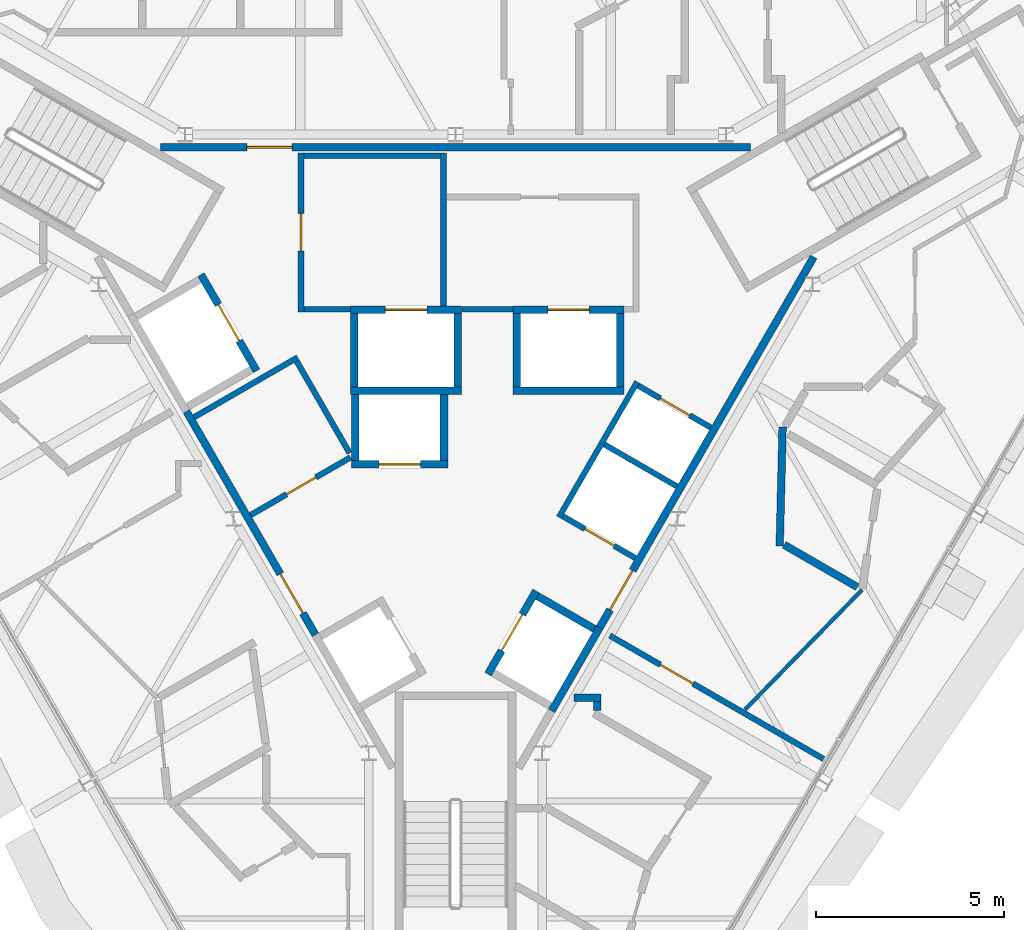
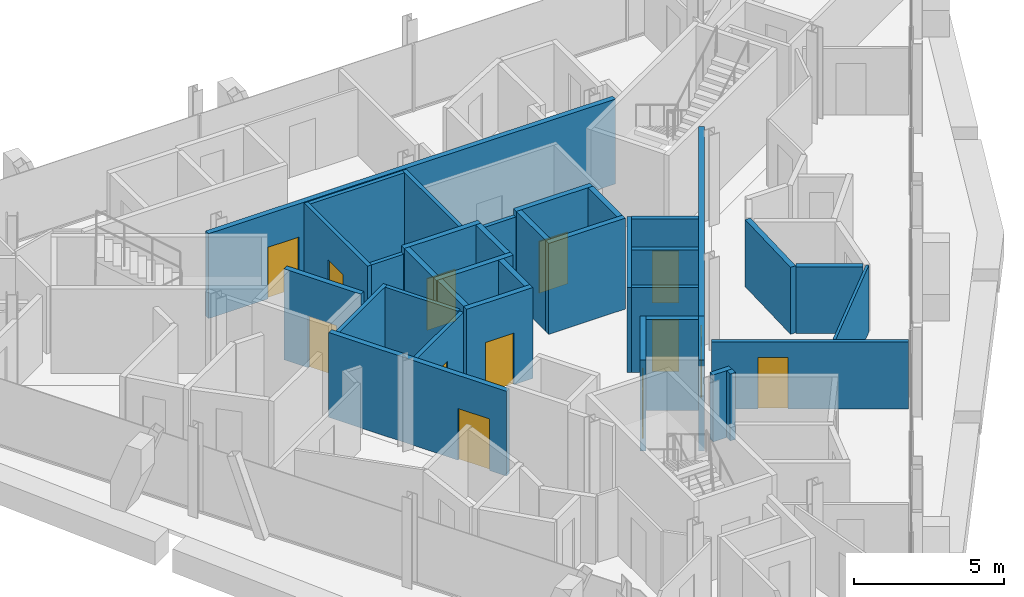
# One storey, part 10 of 15: 36 walls, 13 doors, 13 openings.
"""IFC4 building model written with IfcOpenShell, lengths in metres."""

from ifc_helpers import new_model, si_unit, direction, frame, frame_2d, origin, place, context, subcontext, project, spatial, rectangle, extrude, material, layer, layer_set, type_object, element, fill, save


model = new_model("IFC4")

# Units and contexts
model_context = context("Model", 3, precision=1e-05, world=origin(), true_north=direction((0.0, 1.0)))
body_context = subcontext(model_context, "Body", "Model", "MODEL_VIEW")
ifc_project = project(units=[si_unit("LENGTHUNIT", "METRE"), si_unit("AREAUNIT", "SQUARE_METRE"), si_unit("VOLUMEUNIT", "CUBIC_METRE"), si_unit("PLANEANGLEUNIT", "RADIAN"), si_unit("MASSUNIT", "GRAM", prefix="KILO")], contexts=[model_context])

# Site, building, storey
site_placement = place(None, origin())
site = spatial("IfcSite", under=ifc_project, at=site_placement, CompositionType="ELEMENT")
building_placement = place(site_placement, origin())
building = spatial("IfcBuilding", under=site, at=building_placement, Name="Verrane Prism Tower", CompositionType="ELEMENT")
storey_placement = place(building_placement, frame((0.0, 0.0, 301.0)))
storey = spatial("IfcBuildingStorey", under=building, at=storey_placement, Name="L76", CompositionType="ELEMENT", Elevation=301.0)

# Wall, opening, door
ifc_material_1 = material(Name="Gypsum board partition", Category="other")
ifc_layer_1 = layer(ifc_material_1, 0.199951171875)
ifc_layer_set_1 = layer_set([ifc_layer_1], Name="CW-200 core boundary wall 2 h")
wall_type_1 = type_object("IfcWallType", Name="CW-200 core boundary wall 2 h", PredefinedType="PARTITIONING", material=ifc_layer_set_1)
wall_1_placement = place(storey_placement, frame((7.8291015625, 6.4599609375, 0.0), z_axis=(0.0, 0.0, 1.0), x_axis=(-1.0, 0.0, 0.0)))
wall_1 = element("IfcWall", 1, at=wall_1_placement, inside=storey, type_object=wall_type_1, Name="Core boundary wall CW3-002", PredefinedType="PARTITIONING", context=body_context, shape_type="SweptSolid", body=[
    extrude(rectangle(XDim=15.658203125, YDim=0.199951171875, at=frame_2d((7.8291015625, 0.0))), origin(), (0.0, 0.0, 1.0), 3.449951171875),
])
opening_1_placement = place(wall_1_placement, frame((12.16796875, 0.0, 0.0)))
opening_1 = element("IfcOpeningElement", 2, at=opening_1_placement, cuts=wall_1, Name="Opening D75509", PredefinedType="OPENING", context=body_context, shape_type="SweptSolid", body=[
    extrude(rectangle(XDim=1.199951171875, YDim=2.10009765625, at=frame_2d((0.60009765625, 1.050048828125))), frame((0.0, 0.10986328125, 0.0), z_axis=(0.0, -1.0, 0.0), x_axis=(1.0, 0.0, 0.0)), (0.0, 0.0, 1.0), 0.219970703125),
])
ifc_material_2 = material(Name="Timber veneered door leaf", Category="wood")
door_type_1 = type_object("IfcDoorType", Name="DR-1200x2100 FD60 single leaf lift lobby", OperationType="NOTDEFINED", PredefinedType="DOOR", material=ifc_material_2)
door_1_placement = place(opening_1_placement, origin())
door_1 = element("IfcDoor", 3, at=door_1_placement, inside=storey, type_object=door_type_1, Name="Lift lobby door D75509", OperationType="SINGLE_SWING_RIGHT", OverallHeight=2.10009765625, OverallWidth=1.199951171875, PredefinedType="DOOR", context=body_context, shape_type="SweptSolid", body=[
    extrude(rectangle(XDim=1.199951171875, YDim=2.10009765625, at=frame_2d((0.60009765625, 1.050048828125))), frame((0.0, 0.02490234375, 0.0), z_axis=(0.0, -1.0, 0.0), x_axis=(1.0, 0.0, 0.0)), (0.0, 0.0, 1.0), 0.050048828125),
])
fill(opening_1, door_1)

wall_2_placement = place(storey_placement, frame((-7.14111328125, -0.551025390625, 0.0), z_axis=(0.0, 0.0, 1.0), x_axis=(0.500001302854, -0.86602465158, 0.0)))
wall_2 = element("IfcWall", 4, at=wall_2_placement, inside=storey, type_object=wall_type_1, Name="Core boundary wall CW3-003", PredefinedType="PARTITIONING", context=body_context, shape_type="SweptSolid", body=[
    extrude(rectangle(XDim=6.84619140625, YDim=0.199951171875, at=frame_2d((3.423095703125, 0.0))), origin(), (0.0, 0.0, 1.0), 3.449951171875),
])
opening_2_placement = place(wall_2_placement, frame((4.98291015625, 0.0, 0.0)))
opening_2 = element("IfcOpeningElement", 5, at=opening_2_placement, cuts=wall_2, Name="Opening D75510", PredefinedType="OPENING", context=body_context, shape_type="SweptSolid", body=[
    extrude(rectangle(XDim=1.199951171875, YDim=2.10009765625, at=frame_2d((0.60009765625, 1.050048828125))), frame((0.0, 0.10986328125, 0.0), z_axis=(0.0, -1.0, 0.0), x_axis=(1.0, 0.0, 0.0)), (0.0, 0.0, 1.0), 0.219970703125),
])
door_2_placement = place(opening_2_placement, origin())
door_2 = element("IfcDoor", 6, at=door_2_placement, inside=storey, type_object=door_type_1, Name="Lift lobby door D75510", OperationType="SINGLE_SWING_RIGHT", OverallHeight=2.10009765625, OverallWidth=1.199951171875, PredefinedType="DOOR", context=body_context, shape_type="SweptSolid", body=[
    extrude(rectangle(XDim=1.199951171875, YDim=2.10009765625, at=frame_2d((0.60009765625, 1.050048828125))), frame((0.0, 0.02490234375, 0.0), z_axis=(0.0, -1.0, 0.0), x_axis=(1.0, 0.0, 0.0)), (0.0, 0.0, 1.0), 0.050048828125),
])
fill(opening_2, door_2)

wall_3_placement = place(storey_placement, frame((3.827880859375, -6.2900390625, 0.0), z_axis=(0.0, 0.0, 1.0), x_axis=(0.499979739078, 0.866037101117, 0.0)))
wall_3 = element("IfcWall", 7, at=wall_3_placement, inside=storey, type_object=wall_type_1, Name="Core boundary wall CW3-006", PredefinedType="PARTITIONING", context=body_context, shape_type="SweptSolid", body=[
    extrude(rectangle(XDim=11.36279296875, YDim=0.199951171875, at=frame_2d((5.681396484375, 0.0))), origin(), (0.0, 0.0, 1.0), 3.449951171875),
])
opening_3_placement = place(wall_3_placement, frame((0.550048828125, 0.0, 0.0)))
opening_3 = element("IfcOpeningElement", 8, at=opening_3_placement, cuts=wall_3, Name="Opening D75515", PredefinedType="OPENING", context=body_context, shape_type="SweptSolid", body=[
    extrude(rectangle(XDim=1.199951171875, YDim=2.10009765625, at=frame_2d((0.60009765625, 1.050048828125))), frame((0.0, 0.10986328125, 0.0), z_axis=(0.0, -1.0, 0.0), x_axis=(1.0, 0.0, 0.0)), (0.0, 0.0, 1.0), 0.219970703125),
])
door_3_placement = place(opening_3_placement, origin())
door_3 = element("IfcDoor", 9, at=door_3_placement, inside=storey, type_object=door_type_1, Name="Lift lobby door D75515", OperationType="SINGLE_SWING_RIGHT", OverallHeight=2.10009765625, OverallWidth=1.199951171875, PredefinedType="DOOR", context=body_context, shape_type="SweptSolid", body=[
    extrude(rectangle(XDim=1.199951171875, YDim=2.10009765625, at=frame_2d((0.60009765625, 1.050048828125))), frame((0.0, 0.02490234375, 0.0), z_axis=(0.0, -1.0, 0.0), x_axis=(1.0, 0.0, 0.0)), (0.0, 0.0, 1.0), 0.050048828125),
])
fill(opening_3, door_3)

ifc_material_3 = material(Name="Gypsum board shaft wall assembly", Category="other")
ifc_layer_2 = layer(ifc_material_3, 0.199951171875)
ifc_layer_set_2 = layer_set([ifc_layer_2], Name="HW-200 lift shaft wall 2 h")
wall_type_2 = type_object("IfcWallType", Name="HW-200 lift shaft wall 2 h", PredefinedType="PARTITIONING", material=ifc_layer_set_2)
wall_4_placement = place(storey_placement, frame((-2.7548828125, -1.949951171875, 0.0), z_axis=(0.0, 0.0, 1.0), x_axis=(1.0, 0.0, 0.0)))
wall_4 = element("IfcWall", 10, at=wall_4_placement, inside=storey, type_object=wall_type_2, Name="Lift shaft wall", PredefinedType="PARTITIONING", context=body_context, shape_type="SweptSolid", body=[
    extrude(rectangle(XDim=2.5498046875, YDim=0.199951171875, at=frame_2d((1.27490234375, 0.0))), origin(), (0.0, 0.0, 1.0), 3.699951171875),
])
opening_4_placement = place(wall_4_placement, frame((0.72509765625, 0.0, 0.0)))
opening_4 = element("IfcOpeningElement", 11, at=opening_4_placement, cuts=wall_4, Name="Opening D75504", PredefinedType="OPENING", context=body_context, shape_type="SweptSolid", body=[
    extrude(rectangle(XDim=1.10009765625, YDim=2.10009765625, at=frame_2d((0.550048828125, 1.050048828125))), frame((0.0, 0.10986328125, 0.0), z_axis=(0.0, -1.0, 0.0), x_axis=(1.0, 0.0, 0.0)), (0.0, 0.0, 1.0), 0.219970703125),
])
ifc_material_4 = material(Name="Stainless steel sliding landing door", Category="steel")
door_type_2 = type_object("IfcDoorType", Name="LD-1100x2100 lift landing door FD90 sliding", OperationType="NOTDEFINED", PredefinedType="DOOR", material=ifc_material_4)
door_4_placement = place(opening_4_placement, origin())
door_4 = element("IfcDoor", 12, at=door_4_placement, inside=storey, type_object=door_type_2, Name="Bank C lift 2 landing door", OperationType="SLIDING_TO_RIGHT", OverallHeight=2.10009765625, OverallWidth=1.10009765625, PredefinedType="DOOR", context=body_context, shape_type="SweptSolid", body=[
    extrude(rectangle(XDim=1.10009765625, YDim=2.10009765625, at=frame_2d((0.550048828125, 1.050048828125))), frame((0.0, 0.02490234375, 0.0), z_axis=(0.0, -1.0, 0.0), x_axis=(1.0, 0.0, 0.0)), (0.0, 0.0, 1.0), 0.050048828125),
])
fill(opening_4, door_4)

# Walls
wall_5_placement = place(storey_placement, frame((-2.784912109375, 0.0, 0.0), z_axis=(0.0, 0.0, 1.0), x_axis=(1.0, 0.0, 0.0)))
element("IfcWall", 13, at=wall_5_placement, inside=storey, type_object=wall_type_2, Name="Lift shaft wall", PredefinedType="PARTITIONING", context=body_context, shape_type="SweptSolid", body=[
    extrude(rectangle(XDim=2.949951171875, YDim=0.199951171875, at=frame_2d((1.47509765625, 0.0))), origin(), (0.0, 0.0, 1.0), 3.699951171875),
])
wall_6_placement = place(storey_placement, frame((1.52490234375, 0.0, 0.0), z_axis=(0.0, 0.0, 1.0), x_axis=(1.0, 0.0, 0.0)))
element("IfcWall", 14, at=wall_6_placement, inside=storey, type_object=wall_type_2, Name="Lift shaft wall", PredefinedType="PARTITIONING", context=body_context, shape_type="SweptSolid", body=[
    extrude(rectangle(XDim=2.9501953125, YDim=0.199951171875, at=frame_2d((1.47509765625, 0.0))), origin(), (0.0, 0.0, 1.0), 3.699951171875),
])

# Wall, opening, door
wall_7_placement = place(storey_placement, frame((-2.784912109375, 2.14990234375, 0.0), z_axis=(0.0, 0.0, 1.0), x_axis=(1.0, 0.0, 0.0)))
wall_7 = element("IfcWall", 15, at=wall_7_placement, inside=storey, type_object=wall_type_2, Name="Lift shaft wall", PredefinedType="PARTITIONING", context=body_context, shape_type="SweptSolid", body=[
    extrude(rectangle(XDim=2.949951171875, YDim=0.199951171875, at=frame_2d((1.47509765625, 0.0))), origin(), (0.0, 0.0, 1.0), 3.699951171875),
])
opening_5_placement = place(wall_7_placement, frame((0.925048828125, 0.0, 0.0)))
opening_5 = element("IfcOpeningElement", 16, at=opening_5_placement, cuts=wall_7, Name="Opening D75506", PredefinedType="OPENING", context=body_context, shape_type="SweptSolid", body=[
    extrude(rectangle(XDim=1.10009765625, YDim=2.10009765625, at=frame_2d((0.550048828125, 1.050048828125))), frame((0.0, 0.10986328125, 0.0), z_axis=(0.0, -1.0, 0.0), x_axis=(1.0, 0.0, 0.0)), (0.0, 0.0, 1.0), 0.219970703125),
])
door_5_placement = place(opening_5_placement, origin())
door_5 = element("IfcDoor", 17, at=door_5_placement, inside=storey, type_object=door_type_2, Name="Fire service lift 1 landing door", OperationType="SLIDING_TO_LEFT", OverallHeight=2.10009765625, OverallWidth=1.10009765625, PredefinedType="DOOR", context=body_context, shape_type="SweptSolid", body=[
    extrude(rectangle(XDim=1.10009765625, YDim=2.10009765625, at=frame_2d((0.550048828125, 1.050048828125))), frame((0.0, 0.02490234375, 0.0), z_axis=(0.0, -1.0, 0.0), x_axis=(1.0, 0.0, 0.0)), (0.0, 0.0, 1.0), 0.050048828125),
])
fill(opening_5, door_5)

wall_8_placement = place(storey_placement, frame((1.52490234375, 2.14990234375, 0.0), z_axis=(0.0, 0.0, 1.0), x_axis=(1.0, 0.0, 0.0)))
wall_8 = element("IfcWall", 18, at=wall_8_placement, inside=storey, type_object=wall_type_2, Name="Lift shaft wall", PredefinedType="PARTITIONING", context=body_context, shape_type="SweptSolid", body=[
    extrude(rectangle(XDim=2.9501953125, YDim=0.199951171875, at=frame_2d((1.47509765625, 0.0))), origin(), (0.0, 0.0, 1.0), 3.699951171875),
])
opening_6_placement = place(wall_8_placement, frame((0.925048828125, 0.0, 0.0)))
opening_6 = element("IfcOpeningElement", 19, at=opening_6_placement, cuts=wall_8, Name="Opening D75507", PredefinedType="OPENING", context=body_context, shape_type="SweptSolid", body=[
    extrude(rectangle(XDim=1.10009765625, YDim=2.10009765625, at=frame_2d((0.550048828125, 1.050048828125))), frame((0.0, 0.10986328125, 0.0), z_axis=(0.0, -1.0, 0.0), x_axis=(1.0, 0.0, 0.0)), (0.0, 0.0, 1.0), 0.219970703125),
])
door_6_placement = place(opening_6_placement, origin())
door_6 = element("IfcDoor", 20, at=door_6_placement, inside=storey, type_object=door_type_2, Name="Fire service lift 2 landing door", OperationType="SLIDING_TO_RIGHT", OverallHeight=2.10009765625, OverallWidth=1.10009765625, PredefinedType="DOOR", context=body_context, shape_type="SweptSolid", body=[
    extrude(rectangle(XDim=1.10009765625, YDim=2.10009765625, at=frame_2d((0.550048828125, 1.050048828125))), frame((0.0, 0.02490234375, 0.0), z_axis=(0.0, -1.0, 0.0), x_axis=(1.0, 0.0, 0.0)), (0.0, 0.0, 1.0), 0.050048828125),
])
fill(opening_6, door_6)

# Wall
wall_9_placement = place(storey_placement, frame((2.552001953125, -8.499755859375, 0.0), z_axis=(0.0, 0.0, 1.0), x_axis=(0.499990435942, 0.866030925526, 0.0)))
element("IfcWall", 21, at=wall_9_placement, inside=storey, type_object=wall_type_2, Name="Lift shaft wall", PredefinedType="PARTITIONING", context=body_context, shape_type="SweptSolid", body=[
    extrude(rectangle(XDim=2.5498046875, YDim=0.199951171875, at=frame_2d((1.27490234375, 0.0))), origin(), (0.0, 0.0, 1.0), 3.699951171875),
])

# Wall, opening, door
wall_10_placement = place(storey_placement, frame((0.86328125, -7.524658203125, 0.0), z_axis=(0.0, 0.0, 1.0), x_axis=(0.499990435942, 0.866030925526, 0.0)))
wall_10 = element("IfcWall", 22, at=wall_10_placement, inside=storey, type_object=wall_type_2, Name="Lift shaft wall", PredefinedType="PARTITIONING", context=body_context, shape_type="SweptSolid", body=[
    extrude(rectangle(XDim=2.5498046875, YDim=0.199951171875, at=frame_2d((1.27490234375, 0.0))), origin(), (0.0, 0.0, 1.0), 3.699951171875),
])
opening_7_placement = place(wall_10_placement, frame((0.72509765625, 0.0, 0.0)))
opening_7 = element("IfcOpeningElement", 23, at=opening_7_placement, cuts=wall_10, Name="Opening D75505", PredefinedType="OPENING", context=body_context, shape_type="SweptSolid", body=[
    extrude(rectangle(XDim=1.10009765625, YDim=2.10009765625, at=frame_2d((0.550048828125, 1.050048828125))), frame((0.0, 0.10986328125, 0.0), z_axis=(0.0, -1.0, 0.0), x_axis=(1.0, 0.0, 0.0)), (0.0, 0.0, 1.0), 0.219970703125),
])
door_7_placement = place(opening_7_placement, origin())
door_7 = element("IfcDoor", 24, at=door_7_placement, inside=storey, type_object=door_type_2, Name="Bank C lift 3 landing door", OperationType="SLIDING_TO_LEFT", OverallHeight=2.10009765625, OverallWidth=1.10009765625, PredefinedType="DOOR", context=body_context, shape_type="SweptSolid", body=[
    extrude(rectangle(XDim=1.10009765625, YDim=2.10009765625, at=frame_2d((0.550048828125, 1.050048828125))), frame((0.0, 0.02490234375, 0.0), z_axis=(0.0, -1.0, 0.0), x_axis=(1.0, 0.0, 0.0)), (0.0, 0.0, 1.0), 0.050048828125),
])
fill(opening_7, door_7)

# Walls
for number, where, z_axis, x_axis, name in (
    (25, (4.375, 0.10009765625, 0.0), (0.0, 0.0, 1.0), (0.0, 1.0, 0.0), "Lift shaft wall"),
    (26, (1.625, 0.10009765625, 0.0), (0.0, 0.0, 1.0), (0.0, 1.0, 0.0), "Lift shaft wall"),
    (27, (0.06494140625, 0.10009765625, 0.0), (0.0, 0.0, 1.0), (0.0, 1.0, 0.0), "Lift shaft wall"),
):
    element("IfcWall", number, at=place(storey_placement, frame(where, z_axis=z_axis, x_axis=x_axis)), inside=storey, type_object=wall_type_2, Name=name, PredefinedType="PARTITIONING", context=body_context, shape_type="SweptSolid", body=[
        extrude(rectangle(XDim=1.949951171875, YDim=0.199951171875, at=frame_2d((0.97509765625, 0.0))), origin(), (0.0, 0.0, 1.0), 3.699951171875),
    ])
for number, where, z_axis, x_axis, name in (
    (28, (-0.304931640625, -1.85009765625, 0.0), (0.0, 0.0, 1.0), (0.0, 1.0, 0.0), "Lift shaft wall"),
    (29, (-2.655029296875, -1.85009765625, 0.0), (0.0, 0.0, 1.0), (0.0, 1.0, 0.0), "Lift shaft wall"),
):
    element("IfcWall", number, at=place(storey_placement, frame(where, z_axis=z_axis, x_axis=x_axis)), inside=storey, type_object=wall_type_2, Name=name, PredefinedType="PARTITIONING", context=body_context, shape_type="SweptSolid", body=[
        extrude(rectangle(XDim=1.75, YDim=0.199951171875, at=frame_2d((0.875, 0.0))), origin(), (0.0, 0.0, 1.0), 3.699951171875),
    ])
wall_11_placement = place(storey_placement, frame((-2.68505859375, 0.10009765625, 0.0), z_axis=(0.0, 0.0, 1.0), x_axis=(0.0, 1.0, 0.0)))
element("IfcWall", 30, at=wall_11_placement, inside=storey, type_object=wall_type_2, Name="Lift shaft wall", PredefinedType="PARTITIONING", context=body_context, shape_type="SweptSolid", body=[
    extrude(rectangle(XDim=1.949951171875, YDim=0.199951171875, at=frame_2d((0.97509765625, 0.0))), origin(), (0.0, 0.0, 1.0), 3.699951171875),
])

# Wall, opening, door
wall_12_placement = place(storey_placement, frame((-5.280029296875, 0.525390625, 0.0), z_axis=(0.0, 0.0, 1.0), x_axis=(-0.500037662692, 0.866003658127, 0.0)))
wall_12 = element("IfcWall", 31, at=wall_12_placement, inside=storey, type_object=wall_type_2, Name="Lift shaft wall", PredefinedType="PARTITIONING", context=body_context, shape_type="SweptSolid", body=[
    extrude(rectangle(XDim=2.949951171875, YDim=0.199951171875, at=frame_2d((1.47509765625, 0.0))), origin(), (0.0, 0.0, 1.0), 3.699951171875),
])
opening_8_placement = place(wall_12_placement, frame((0.925048828125, 0.0, 0.0)))
opening_8 = element("IfcOpeningElement", 32, at=opening_8_placement, cuts=wall_12, Name="Opening D75508", PredefinedType="OPENING", context=body_context, shape_type="SweptSolid", body=[
    extrude(rectangle(XDim=1.10009765625, YDim=2.10009765625, at=frame_2d((0.550048828125, 1.050048828125))), frame((0.0, 0.10986328125, 0.0), z_axis=(0.0, -1.0, 0.0), x_axis=(1.0, 0.0, 0.0)), (0.0, 0.0, 1.0), 0.219970703125),
])
door_8_placement = place(opening_8_placement, origin())
door_8 = element("IfcDoor", 33, at=door_8_placement, inside=storey, type_object=door_type_2, Name="Service lift 1 landing door", OperationType="SLIDING_TO_LEFT", OverallHeight=2.10009765625, OverallWidth=1.10009765625, PredefinedType="DOOR", context=body_context, shape_type="SweptSolid", body=[
    extrude(rectangle(XDim=1.10009765625, YDim=2.10009765625, at=frame_2d((0.550048828125, 1.050048828125))), frame((0.0, 0.02490234375, 0.0), z_axis=(0.0, -1.0, 0.0), x_axis=(1.0, 0.0, 0.0)), (0.0, 0.0, 1.0), 0.050048828125),
])
fill(opening_8, door_8)

# Wall
wall_13_placement = place(storey_placement, frame((3.6904296875, -6.327880859375, 0.0), z_axis=(0.0, 0.0, 1.0), x_axis=(-0.866036909293, 0.499980071345, 0.0)))
element("IfcWall", 34, at=wall_13_placement, inside=storey, type_object=wall_type_2, Name="Lift shaft wall", PredefinedType="PARTITIONING", context=body_context, shape_type="SweptSolid", body=[
    extrude(rectangle(XDim=1.75, YDim=0.199951171875, at=frame_2d((0.875, 0.0))), origin(), (0.0, 0.0, 1.0), 3.699951171875),
])

# Wall, opening, door
ifc_material_5 = material(Name="Gypsum board partition", Category="other")
ifc_layer_3 = layer(ifc_material_5, 0.14990234375)
ifc_layer_set_3 = layer_set([ifc_layer_3], Name="LF-150 firefighting lobby wall 1 h")
wall_type_3 = type_object("IfcWallType", Name="LF-150 firefighting lobby wall 1 h", PredefinedType="PARTITIONING", material=ifc_layer_set_3)
wall_14_placement = place(storey_placement, frame((-4.10009765625, 2.0849609375, 0.0), z_axis=(0.0, 0.0, 1.0), x_axis=(0.0, 1.0, 0.0)))
wall_14 = element("IfcWall", 35, at=wall_14_placement, inside=storey, type_object=wall_type_3, Name="Firefighting lobby wall LF1-001", PredefinedType="PARTITIONING", context=body_context, shape_type="SweptSolid", body=[
    extrude(rectangle(XDim=4.22998046875, YDim=0.14990234375, at=frame_2d((2.114990234375, 0.0))), origin(), (0.0, 0.0, 1.0), 3.449951171875),
])
opening_9_placement = place(wall_14_placement, frame((1.625, 0.0, 0.0)))
opening_9 = element("IfcOpeningElement", 36, at=opening_9_placement, cuts=wall_14, Name="Opening D75512", PredefinedType="OPENING", context=body_context, shape_type="SweptSolid", body=[
    extrude(rectangle(XDim=1.0, YDim=2.10009765625, at=frame_2d((0.5, 1.050048828125))), frame((0.0, 0.0849609375, 0.0), z_axis=(0.0, -1.0, 0.0), x_axis=(1.0, 0.0, 0.0)), (0.0, 0.0, 1.0), 0.169921875),
])
ifc_material_6 = material(Name="Timber veneered door leaf", Category="wood")
door_type_3 = type_object("IfcDoorType", Name="DR-1000x2100 FD60 single leaf firefighting lobby", OperationType="NOTDEFINED", PredefinedType="DOOR", material=ifc_material_6)
door_9_placement = place(opening_9_placement, origin())
door_9 = element("IfcDoor", 37, at=door_9_placement, inside=storey, type_object=door_type_3, Name="Firefighting lobby door D75512", OperationType="SINGLE_SWING_RIGHT", OverallHeight=2.10009765625, OverallWidth=1.0, PredefinedType="DOOR", context=body_context, shape_type="SweptSolid", body=[
    extrude(rectangle(XDim=1.0, YDim=2.10009765625, at=frame_2d((0.5, 1.050048828125))), frame((0.0, 0.02490234375, 0.0), z_axis=(0.0, -1.0, 0.0), x_axis=(1.0, 0.0, 0.0)), (0.0, 0.0, 1.0), 0.050048828125),
])
fill(opening_9, door_9)

# Walls
wall_15_placement = place(storey_placement, frame((-4.02490234375, 2.159912109375, 0.0), z_axis=(0.0, 0.0, 1.0), x_axis=(1.0, 0.0, 0.0)))
element("IfcWall", 38, at=wall_15_placement, inside=storey, type_object=wall_type_3, Name="Firefighting lobby wall LF1-002", PredefinedType="PARTITIONING", context=body_context, shape_type="SweptSolid", body=[
    extrude(rectangle(XDim=1.23779296875, YDim=0.14990234375, at=frame_2d((0.618896484375, 0.0))), origin(), (0.0, 0.0, 1.0), 3.449951171875),
])
wall_16_placement = place(storey_placement, frame((-4.02490234375, 6.239990234375, 0.0), z_axis=(0.0, 0.0, 1.0), x_axis=(1.0, 0.0, 0.0)))
element("IfcWall", 39, at=wall_16_placement, inside=storey, type_object=wall_type_3, Name="Firefighting lobby wall LF1-003", PredefinedType="PARTITIONING", context=body_context, shape_type="SweptSolid", body=[
    extrude(rectangle(XDim=3.6298828125, YDim=0.14990234375, at=frame_2d((1.81494140625, 0.0))), origin(), (0.0, 0.0, 1.0), 3.449951171875),
])
wall_17_placement = place(storey_placement, frame((-0.320068359375, 2.251953125, 0.0), z_axis=(0.0, 0.0, 1.0), x_axis=(0.0, 1.0, 0.0)))
element("IfcWall", 40, at=wall_17_placement, inside=storey, type_object=wall_type_3, Name="Firefighting lobby wall LF1-004", PredefinedType="PARTITIONING", context=body_context, shape_type="SweptSolid", body=[
    extrude(rectangle(XDim=4.06298828125, YDim=0.14990234375, at=frame_2d((2.031494140625, 0.0))), origin(), (0.0, 0.0, 1.0), 3.449951171875),
])
wall_18_placement = place(storey_placement, frame((0.1669921875, 2.159912109375, 0.0), z_axis=(0.0, 0.0, 1.0), x_axis=(1.0, 0.0, 0.0)))
element("IfcWall", 41, at=wall_18_placement, inside=storey, type_object=wall_type_3, Name="Firefighting lobby wall LF1-006", PredefinedType="PARTITIONING", context=body_context, shape_type="SweptSolid", body=[
    extrude(rectangle(XDim=1.35595703125, YDim=0.14990234375, at=frame_2d((0.677978515625, 0.0))), origin(), (0.0, 0.0, 1.0), 3.449951171875),
])
ifc_material_7 = material(Name="Gypsum board partition", Category="other")
ifc_layer_4 = layer(ifc_material_7, 0.10009765625)
ifc_layer_set_4 = layer_set([ifc_layer_4], Name="PW-100 room partition")
wall_type_4 = type_object("IfcWallType", Name="PW-100 room partition", PredefinedType="PARTITIONING", material=ifc_layer_set_4)
wall_19_placement = place(storey_placement, frame((7.68212890625, -8.470458984375, 0.0), z_axis=(0.0, 0.0, 1.0), x_axis=(0.698777378461, 0.715339203002, 0.0)))
element("IfcWall", 42, at=wall_19_placement, inside=storey, type_object=wall_type_4, Name="Room partition 067", PredefinedType="PARTITIONING", context=body_context, shape_type="SweptSolid", body=[
    extrude(rectangle(XDim=4.451904296875, YDim=0.10009765625, at=frame_2d((2.22607421875, 0.0))), origin(), (0.0, 0.0, 1.0), 2.722900390625),
])

# Wall, opening, door
ifc_material_8 = material(Name="Gypsum board partition", Category="other")
ifc_layer_5 = layer(ifc_material_8, 0.14990234375)
ifc_layer_set_5 = layer_set([ifc_layer_5], Name="PW-150 demising wall 1 h")
wall_type_5 = type_object("IfcWallType", Name="PW-150 demising wall 1 h", PredefinedType="PARTITIONING", material=ifc_layer_set_5)
wall_20_placement = place(storey_placement, frame((9.771728515625, -9.77685546875, 0.0), z_axis=(0.0, 0.0, 1.0), x_axis=(-0.866083818164, 0.499898809675, 0.0)))
wall_20 = element("IfcWall", 43, at=wall_20_placement, inside=storey, type_object=wall_type_5, Name="Demising wall 060", PredefinedType="PARTITIONING", context=body_context, shape_type="SweptSolid", body=[
    extrude(rectangle(XDim=6.551025390625, YDim=0.14990234375, at=frame_2d((3.275390625, 0.0))), origin(), (0.0, 0.0, 1.0), 2.722900390625),
])
opening_10_placement = place(wall_20_placement, frame((4.0009765625, 0.0, 0.0)))
opening_10 = element("IfcOpeningElement", 44, at=opening_10_placement, cuts=wall_20, Name="Opening D75003", PredefinedType="OPENING", context=body_context, shape_type="SweptSolid", body=[
    extrude(rectangle(XDim=1.0, YDim=2.10009765625, at=frame_2d((0.5, 1.050048828125))), frame((0.0, 0.0849609375, 0.0), z_axis=(0.0, -1.0, 0.0), x_axis=(1.0, 0.0, 0.0)), (0.0, 0.0, 1.0), 0.169921875),
])
ifc_material_9 = material(Name="Timber veneered door leaf", Category="wood")
door_type_4 = type_object("IfcDoorType", Name="DR-1000x2100 FD20 single leaf inner", OperationType="NOTDEFINED", PredefinedType="DOOR", material=ifc_material_9)
door_10_placement = place(opening_10_placement, origin())
door_10 = element("IfcDoor", 45, at=door_10_placement, inside=storey, type_object=door_type_4, Name="Entrance Foyer door", OperationType="SINGLE_SWING_RIGHT", OverallHeight=2.10009765625, OverallWidth=1.0, PredefinedType="DOOR", context=body_context, shape_type="SweptSolid", body=[
    extrude(rectangle(XDim=1.0, YDim=2.10009765625, at=frame_2d((0.5, 1.050048828125))), frame((0.0, 0.02490234375, 0.0), z_axis=(0.0, -1.0, 0.0), x_axis=(1.0, 0.0, 0.0)), (0.0, 0.0, 1.0), 0.050048828125),
])
fill(opening_10, door_10)

# Walls
ifc_material_10 = material(Name="Gypsum board partition", Category="other")
ifc_layer_6 = layer(ifc_material_10, 0.199951171875)
ifc_layer_set_6 = layer_set([ifc_layer_6], Name="PW-200 plumbing wall")
wall_type_6 = type_object("IfcWallType", Name="PW-200 plumbing wall", PredefinedType="PARTITIONING", material=ifc_layer_set_6)
wall_21_placement = place(storey_placement, frame((3.14599609375, -8.15087890625, 0.0), z_axis=(0.0, 0.0, 1.0), x_axis=(1.0, 0.0, 0.0)))
element("IfcWall", 46, at=wall_21_placement, inside=storey, type_object=wall_type_6, Name="Plumbing wall 055", PredefinedType="PARTITIONING", context=body_context, shape_type="SweptSolid", body=[
    extrude(rectangle(XDim=0.722900390625, YDim=0.199951171875, at=frame_2d((0.361328125, 0.0))), origin(), (0.0, 0.0, 1.0), 2.722900390625),
])
wall_22_placement = place(storey_placement, frame((3.76904296875, -8.486083984375, 0.0), z_axis=(0.0, 0.0, 1.0), x_axis=(0.0, 1.0, 0.0)))
element("IfcWall", 47, at=wall_22_placement, inside=storey, type_object=wall_type_6, Name="Plumbing wall 058", PredefinedType="PARTITIONING", context=body_context, shape_type="SweptSolid", body=[
    extrude(rectangle(XDim=0.235107421875, YDim=0.199951171875, at=frame_2d((0.11767578125, 0.0))), origin(), (0.0, 0.0, 1.0), 2.722900390625),
])
wall_23_placement = place(storey_placement, frame((8.606689453125, -4.125, 0.0), z_axis=(0.0, 0.0, 1.0), x_axis=(0.024245593124, 0.999706032399, 0.0)))
element("IfcWall", 48, at=wall_23_placement, inside=storey, type_object=wall_type_6, Name="Plumbing wall 070", PredefinedType="PARTITIONING", context=body_context, shape_type="SweptSolid", body=[
    extrude(rectangle(XDim=3.161865234375, YDim=0.199951171875, at=frame_2d((1.5810546875, 0.0))), origin(), (0.0, 0.0, 1.0), 2.722900390625),
])
wall_24_placement = place(storey_placement, frame((8.725830078125, -4.092529296875, 0.0), z_axis=(0.0, 0.0, 1.0), x_axis=(0.866056839033, -0.499945548598, 0.0)))
element("IfcWall", 49, at=wall_24_placement, inside=storey, type_object=wall_type_6, Name="Plumbing wall 071", PredefinedType="PARTITIONING", context=body_context, shape_type="SweptSolid", body=[
    extrude(rectangle(XDim=2.241943359375, YDim=0.199951171875, at=frame_2d((1.12109375, 0.0))), origin(), (0.0, 0.0, 1.0), 2.722900390625),
])
ifc_material_11 = material(Name="Gypsum board partition", Category="other")
ifc_layer_7 = layer(ifc_material_11, 0.14990234375)
ifc_layer_set_7 = layer_set([ifc_layer_7], Name="RS-150 riser enclosure wall 1 h")
wall_type_7 = type_object("IfcWallType", Name="RS-150 riser enclosure wall 1 h", PredefinedType="PARTITIONING", material=ifc_layer_set_7)
wall_25_placement = place(storey_placement, frame((-6.9375, -0.702880859375, 0.0), z_axis=(0.0, 0.0, 1.0), x_axis=(0.866029357279, 0.499993152284, 0.0)))
element("IfcWall", 50, at=wall_25_placement, inside=storey, type_object=wall_type_7, Name="Riser wall RS3-001", PredefinedType="PARTITIONING", context=body_context, shape_type="SweptSolid", body=[
    extrude(rectangle(XDim=3.1748046875, YDim=0.14990234375, at=frame_2d((1.58740234375, 0.0))), origin(), (0.0, 0.0, 1.0), 3.449951171875),
])

# Wall, opening, door
wall_26_placement = place(storey_placement, frame((-5.4375, -3.301025390625, 0.0), z_axis=(0.0, 0.0, 1.0), x_axis=(0.865961047596, 0.500111451624, 0.0)))
wall_26 = element("IfcWall", 51, at=wall_26_placement, inside=storey, type_object=wall_type_7, Name="Riser wall RS3-002", PredefinedType="PARTITIONING", context=body_context, shape_type="SweptSolid", body=[
    extrude(rectangle(XDim=3.060302734375, YDim=0.14990234375, at=frame_2d((1.5302734375, 0.0))), origin(), (0.0, 0.0, 1.0), 3.449951171875),
])
opening_11_placement = place(wall_26_placement, frame((1.10009765625, 0.0, 0.0)))
opening_11 = element("IfcOpeningElement", 52, at=opening_11_placement, cuts=wall_26, Name="Opening D75511", PredefinedType="OPENING", context=body_context, shape_type="SweptSolid", body=[
    extrude(rectangle(XDim=0.89990234375, YDim=2.10009765625, at=frame_2d((0.449951171875, 1.050048828125))), frame((0.0, 0.0849609375, 0.0), z_axis=(0.0, -1.0, 0.0), x_axis=(1.0, 0.0, 0.0)), (0.0, 0.0, 1.0), 0.169921875),
])
ifc_material_12 = material(Name="Timber veneered door leaf", Category="wood")
door_type_5 = type_object("IfcDoorType", Name="DR-900x2100 FD20 single leaf store", OperationType="NOTDEFINED", PredefinedType="DOOR", material=ifc_material_12)
door_11_placement = place(opening_11_placement, origin())
door_11 = element("IfcDoor", 53, at=door_11_placement, inside=storey, type_object=door_type_5, Name="Room door D75511", OperationType="SINGLE_SWING_RIGHT", OverallHeight=2.10009765625, OverallWidth=0.89990234375, PredefinedType="DOOR", context=body_context, shape_type="SweptSolid", body=[
    extrude(rectangle(XDim=0.89990234375, YDim=2.10009765625, at=frame_2d((0.449951171875, 1.050048828125))), frame((0.0, 0.02490234375, 0.0), z_axis=(0.0, -1.0, 0.0), x_axis=(1.0, 0.0, 0.0)), (0.0, 0.0, 1.0), 0.050048828125),
])
fill(opening_11, door_11)

# Walls
wall_27_placement = place(storey_placement, frame((-4.215576171875, 0.781982421875, 0.0), z_axis=(0.0, 0.0, 1.0), x_axis=(0.498733469436, -0.866755401751, 0.0)))
element("IfcWall", 54, at=wall_27_placement, inside=storey, type_object=wall_type_7, Name="Riser wall RS3-003", PredefinedType="PARTITIONING", context=body_context, shape_type="SweptSolid", body=[
    extrude(rectangle(XDim=2.814697265625, YDim=0.14990234375, at=frame_2d((1.4072265625, 0.0))), origin(), (0.0, 0.0, 1.0), 3.449951171875),
])
wall_28_placement = place(storey_placement, frame((2.74853515625, -3.35888671875, 0.0), z_axis=(0.0, 0.0, 1.0), x_axis=(0.500017827812, 0.866015110648, 0.0)))
element("IfcWall", 55, at=wall_28_placement, inside=storey, type_object=wall_type_7, Name="Riser wall RS3-004", PredefinedType="PARTITIONING", context=body_context, shape_type="SweptSolid", body=[
    extrude(rectangle(XDim=4.149658203125, YDim=0.14990234375, at=frame_2d((2.07470703125, 0.0))), origin(), (0.0, 0.0, 1.0), 3.449951171875),
])

# Wall, opening, door
wall_29_placement = place(storey_placement, frame((2.85107421875, -3.33154296875, 0.0), z_axis=(0.0, 0.0, 1.0), x_axis=(0.866110524189, -0.499852538144, 0.0)))
wall_29 = element("IfcWall", 56, at=wall_29_placement, inside=storey, type_object=wall_type_7, Name="Riser wall RS3-005", PredefinedType="PARTITIONING", context=body_context, shape_type="SweptSolid", body=[
    extrude(rectangle(XDim=2.220458984375, YDim=0.14990234375, at=frame_2d((1.1103515625, 0.0))), origin(), (0.0, 0.0, 1.0), 3.449951171875),
])
opening_12_placement = place(wall_29_placement, frame((0.675048828125, 0.0, 0.0)))
opening_12 = element("IfcOpeningElement", 57, at=opening_12_placement, cuts=wall_29, Name="Opening D75514", PredefinedType="OPENING", context=body_context, shape_type="SweptSolid", body=[
    extrude(rectangle(XDim=0.89990234375, YDim=2.10009765625, at=frame_2d((0.449951171875, 1.050048828125))), frame((0.0, 0.0849609375, 0.0), z_axis=(0.0, -1.0, 0.0), x_axis=(1.0, 0.0, 0.0)), (0.0, 0.0, 1.0), 0.169921875),
])
ifc_material_13 = material(Name="Timber veneered door leaf", Category="wood")
door_type_6 = type_object("IfcDoorType", Name="DR-900x2100 FD60 single leaf riser", OperationType="NOTDEFINED", PredefinedType="DOOR", material=ifc_material_13)
door_12_placement = place(opening_12_placement, origin())
door_12 = element("IfcDoor", 58, at=door_12_placement, inside=storey, type_object=door_type_6, Name="Riser door D75514", OperationType="SINGLE_SWING_RIGHT", OverallHeight=2.10009765625, OverallWidth=0.89990234375, PredefinedType="DOOR", context=body_context, shape_type="SweptSolid", body=[
    extrude(rectangle(XDim=0.89990234375, YDim=2.10009765625, at=frame_2d((0.449951171875, 1.050048828125))), frame((0.0, 0.02490234375, 0.0), z_axis=(0.0, -1.0, 0.0), x_axis=(1.0, 0.0, 0.0)), (0.0, 0.0, 1.0), 0.050048828125),
])
fill(opening_12, door_12)

# Wall
wall_30_placement = place(storey_placement, frame((3.950927734375, -1.426513671875, 0.0), z_axis=(0.0, 0.0, 1.0), x_axis=(0.866062920605, -0.499935013329, 0.0)))
element("IfcWall", 59, at=wall_30_placement, inside=storey, type_object=wall_type_7, Name="Riser wall RS3-006", PredefinedType="PARTITIONING", context=body_context, shape_type="SweptSolid", body=[
    extrude(rectangle(XDim=2.220458984375, YDim=0.14990234375, at=frame_2d((1.1103515625, 0.0))), origin(), (0.0, 0.0, 1.0), 3.449951171875),
])

# Wall, opening, door
wall_31_placement = place(storey_placement, frame((6.774169921875, -0.9775390625, 0.0), z_axis=(0.0, 0.0, 1.0), x_axis=(-0.866062920605, 0.499935013329, 0.0)))
wall_31 = element("IfcWall", 60, at=wall_31_placement, inside=storey, type_object=wall_type_7, Name="Riser wall RS3-007", PredefinedType="PARTITIONING", context=body_context, shape_type="SweptSolid", body=[
    extrude(rectangle(XDim=2.220458984375, YDim=0.14990234375, at=frame_2d((1.1103515625, 0.0))), origin(), (0.0, 0.0, 1.0), 3.449951171875),
])
opening_13_placement = place(wall_31_placement, frame((0.6455078125, 0.0, 0.0)))
opening_13 = element("IfcOpeningElement", 61, at=opening_13_placement, cuts=wall_31, Name="Opening D75516", PredefinedType="OPENING", context=body_context, shape_type="SweptSolid", body=[
    extrude(rectangle(XDim=0.89990234375, YDim=2.10009765625, at=frame_2d((0.449951171875, 1.050048828125))), frame((0.0, 0.0849609375, 0.0), z_axis=(0.0, -1.0, 0.0), x_axis=(1.0, 0.0, 0.0)), (0.0, 0.0, 1.0), 0.169921875),
])
door_13_placement = place(opening_13_placement, origin())
door_13 = element("IfcDoor", 62, at=door_13_placement, inside=storey, type_object=door_type_6, Name="Riser door D75516", OperationType="SINGLE_SWING_RIGHT", OverallHeight=2.10009765625, OverallWidth=0.89990234375, PredefinedType="DOOR", context=body_context, shape_type="SweptSolid", body=[
    extrude(rectangle(XDim=0.89990234375, YDim=2.10009765625, at=frame_2d((0.449951171875, 1.050048828125))), frame((0.0, 0.02490234375, 0.0), z_axis=(0.0, -1.0, 0.0), x_axis=(1.0, 0.0, 0.0)), (0.0, 0.0, 1.0), 0.050048828125),
])
fill(opening_13, door_13)

save(model, "model.ifc")
